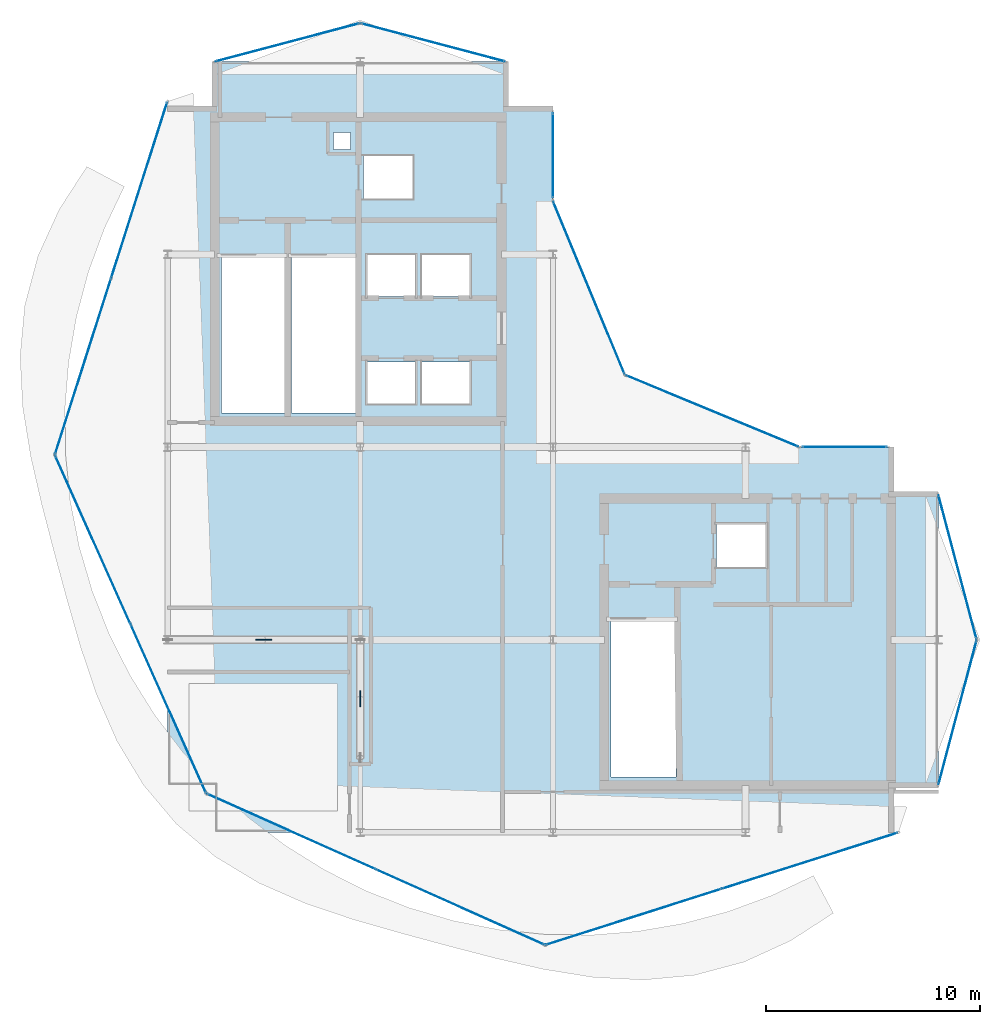
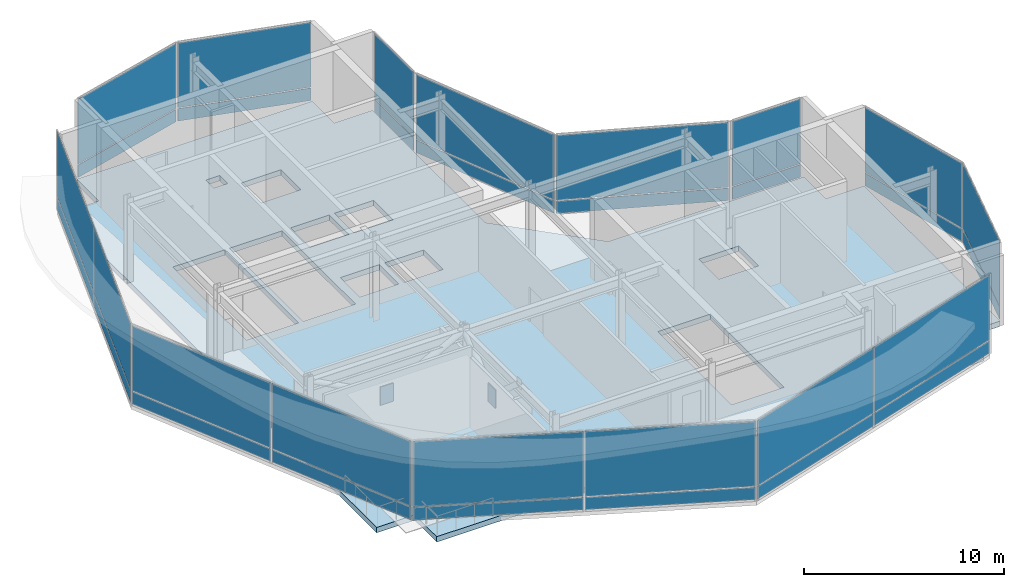
# One storey, part 15 of 19: 34 plates, 1 slab, 12 elements without a shape of their own.
"""IFC4 building model written with IfcOpenShell, lengths in metres."""

from ifc_helpers import new_model, si_unit, direction, frame, origin, origin_2d, place, context, subcontext, project, spatial, polyline, rectangle, outline, extrude, material, layer, layer_set, type_object, element, aggregate, save


model = new_model("IFC4")

# Units and contexts
model_context = context("Model", 3, precision=1e-05, world=origin(), true_north=direction((0.0, 1.0)))
body_context = subcontext(model_context, "Body", "Model", "MODEL_VIEW")
ifc_project = project(units=[si_unit("LENGTHUNIT", "METRE"), si_unit("AREAUNIT", "SQUARE_METRE"), si_unit("VOLUMEUNIT", "CUBIC_METRE"), si_unit("PLANEANGLEUNIT", "RADIAN"), si_unit("MASSUNIT", "GRAM", prefix="KILO")], contexts=[model_context])

# Site, building, storey
site_placement = place(None, origin())
site = spatial("IfcSite", under=ifc_project, at=site_placement, CompositionType="ELEMENT")
building_placement = place(site_placement, origin())
building = spatial("IfcBuilding", under=site, at=building_placement, Name="Solvaryn Broadcast Tower", CompositionType="ELEMENT")
storey_placement = place(building_placement, frame((0.0, 0.0, 302.60009765625)))
storey = spatial("IfcBuildingStorey", under=building, at=storey_placement, Name="L76", CompositionType="ELEMENT", Elevation=302.60009765625)

# Curtain wall, plates
ifc_material_1 = material(Name="Aluminium and Terracotta Unitised Curtain Wall", Category="masonry")
ifc_layer_1 = layer(ifc_material_1, 0.260009765625)
ifc_layer_set_1 = layer_set([ifc_layer_1], Name="CW-SYS5-DAMPER")
curtain_wall_type = type_object("IfcCurtainWallType", Name="CW-SYS5-DAMPER", PredefinedType="NOTDEFINED", material=ifc_layer_set_1)
curtain_wall_1_placement = place(storey_placement, origin())
curtain_wall_1 = element("IfcCurtainWall", 1, at=curtain_wall_1_placement, inside=storey, type_object=curtain_wall_type, Name="L76 Curtain Wall DR1", PredefinedType="NOTDEFINED")
ifc_material_2 = material(Name="Acoustic Laminated Luminous Clear Glass", Category="glass")
ifc_layer_2 = layer(ifc_material_2, 0.0419921875)
ifc_layer_set_2 = layer_set([ifc_layer_2], Name="CW-PNL-DAMPER")
plate_type_1 = type_object("IfcPlateType", Name="CW-PNL-DAMPER", PredefinedType="CURTAIN_PANEL", material=ifc_layer_set_2)
plate_1_placement = place(storey_placement, frame((7.679931640625, 39.00634765625, 0.06005859375), z_axis=(0.0, 0.0, 1.0), x_axis=(-0.30361564569, -0.952794594701, 0.0)))
plate_1 = element("IfcPlate", 2, at=plate_1_placement, type_object=plate_type_1, Name="CWS5 panel 1.1", PredefinedType="CURTAIN_PANEL", context=body_context, shape_type="SweptSolid", body=[
    extrude(rectangle(XDim=8.575439453125, YDim=0.028076171875, at=origin_2d()), origin(), (0.0, 0.0, 1.0), 0.760009765625),
])
plate_2_placement = place(storey_placement, frame((7.679931640625, 39.00634765625, 0.8798828125), z_axis=(0.0, 0.0, 1.0), x_axis=(-0.30361564569, -0.952794594701, 0.0)))
plate_2 = element("IfcPlate", 3, at=plate_2_placement, type_object=plate_type_1, Name="CWS5 panel 1.2", PredefinedType="CURTAIN_PANEL", context=body_context, shape_type="SweptSolid", body=[
    extrude(rectangle(XDim=8.575439453125, YDim=0.028076171875, at=origin_2d()), origin(), (0.0, 0.0, 1.0), 3.9599609375),
])
plate_3_placement = place(storey_placement, frame((5.05810546875, 30.778564453125, 0.06005859375), z_axis=(0.0, 0.0, 1.0), x_axis=(-0.30361564569, -0.952794594701, 0.0)))
plate_3 = element("IfcPlate", 4, at=plate_3_placement, type_object=plate_type_1, Name="CWS5 panel 2.1", PredefinedType="CURTAIN_PANEL", context=body_context, shape_type="SweptSolid", body=[
    extrude(rectangle(XDim=8.575439453125, YDim=0.028076171875, at=origin_2d()), origin(), (0.0, 0.0, 1.0), 0.760009765625),
])
plate_4_placement = place(storey_placement, frame((5.05810546875, 30.778564453125, 0.8798828125), z_axis=(0.0, 0.0, 1.0), x_axis=(-0.30361564569, -0.952794594701, 0.0)))
plate_4 = element("IfcPlate", 5, at=plate_4_placement, type_object=plate_type_1, Name="CWS5 panel 2.2", PredefinedType="CURTAIN_PANEL", context=body_context, shape_type="SweptSolid", body=[
    extrude(rectangle(XDim=8.575439453125, YDim=0.028076171875, at=origin_2d()), origin(), (0.0, 0.0, 1.0), 3.9599609375),
])
aggregate(curtain_wall_1, [plate_1, plate_2, plate_3, plate_4])

curtain_wall_2_placement = place(storey_placement, origin())
curtain_wall_2 = element("IfcCurtainWall", 6, at=curtain_wall_2_placement, inside=storey, type_object=curtain_wall_type, Name="L76 Curtain Wall DR2", PredefinedType="NOTDEFINED")
plate_5_placement = place(storey_placement, frame((5.513916015625, 22.66748046875, 0.06005859375), z_axis=(0.0, 0.0, 1.0), x_axis=(0.408466010682, -0.912773530574, 0.0)))
plate_5 = element("IfcPlate", 7, at=plate_5_placement, type_object=plate_type_1, Name="CWS5 panel 1.1", PredefinedType="CURTAIN_PANEL", context=body_context, shape_type="SweptSolid", body=[
    extrude(rectangle(XDim=8.575439453125, YDim=0.028076171875, at=origin_2d()), origin(), (0.0, 0.0, 1.0), 0.760009765625),
])
plate_6_placement = place(storey_placement, frame((5.513916015625, 22.66748046875, 0.8798828125), z_axis=(0.0, 0.0, 1.0), x_axis=(0.408466010682, -0.912773530574, 0.0)))
plate_6 = element("IfcPlate", 8, at=plate_6_placement, type_object=plate_type_1, Name="CWS5 panel 1.2", PredefinedType="CURTAIN_PANEL", context=body_context, shape_type="SweptSolid", body=[
    extrude(rectangle(XDim=8.575439453125, YDim=0.028076171875, at=origin_2d()), origin(), (0.0, 0.0, 1.0), 3.9599609375),
])
plate_7_placement = place(storey_placement, frame((9.041015625, 14.785400390625, 0.06005859375), z_axis=(0.0, 0.0, 1.0), x_axis=(0.408466010682, -0.912773530574, 0.0)))
plate_7 = element("IfcPlate", 9, at=plate_7_placement, type_object=plate_type_1, Name="CWS5 panel 2.1", PredefinedType="CURTAIN_PANEL", context=body_context, shape_type="SweptSolid", body=[
    extrude(rectangle(XDim=8.575439453125, YDim=0.028076171875, at=origin_2d()), origin(), (0.0, 0.0, 1.0), 0.760009765625),
])
plate_8_placement = place(storey_placement, frame((9.041015625, 14.785400390625, 0.8798828125), z_axis=(0.0, 0.0, 1.0), x_axis=(0.408466010682, -0.912773530574, 0.0)))
plate_8 = element("IfcPlate", 10, at=plate_8_placement, type_object=plate_type_1, Name="CWS5 panel 2.2", PredefinedType="CURTAIN_PANEL", context=body_context, shape_type="SweptSolid", body=[
    extrude(rectangle(XDim=8.575439453125, YDim=0.028076171875, at=origin_2d()), origin(), (0.0, 0.0, 1.0), 3.9599609375),
])
aggregate(curtain_wall_2, [plate_5, plate_6, plate_7, plate_8])

curtain_wall_3_placement = place(storey_placement, origin())
curtain_wall_3 = element("IfcCurtainWall", 11, at=curtain_wall_3_placement, inside=storey, type_object=curtain_wall_type, Name="L76 Curtain Wall DR3", PredefinedType="NOTDEFINED")
plate_9_placement = place(storey_placement, frame((14.785400390625, 9.041015625, 0.06005859375), z_axis=(0.0, 0.0, 1.0), x_axis=(0.912773530574, -0.408466010682, 0.0)))
plate_9 = element("IfcPlate", 12, at=plate_9_placement, type_object=plate_type_1, Name="CWS5 panel 1.1", PredefinedType="CURTAIN_PANEL", context=body_context, shape_type="SweptSolid", body=[
    extrude(rectangle(XDim=8.575439453125, YDim=0.028076171875, at=origin_2d()), origin(), (0.0, 0.0, 1.0), 0.760009765625),
])
plate_10_placement = place(storey_placement, frame((14.785400390625, 9.041015625, 0.8798828125), z_axis=(0.0, 0.0, 1.0), x_axis=(0.912773530574, -0.408466010682, 0.0)))
plate_10 = element("IfcPlate", 13, at=plate_10_placement, type_object=plate_type_1, Name="CWS5 panel 1.2", PredefinedType="CURTAIN_PANEL", context=body_context, shape_type="SweptSolid", body=[
    extrude(rectangle(XDim=8.575439453125, YDim=0.028076171875, at=origin_2d()), origin(), (0.0, 0.0, 1.0), 3.9599609375),
])
plate_11_placement = place(storey_placement, frame((22.66748046875, 5.513916015625, 0.06005859375), z_axis=(0.0, 0.0, 1.0), x_axis=(0.912773530574, -0.408466010682, 0.0)))
plate_11 = element("IfcPlate", 14, at=plate_11_placement, type_object=plate_type_1, Name="CWS5 panel 2.1", PredefinedType="CURTAIN_PANEL", context=body_context, shape_type="SweptSolid", body=[
    extrude(rectangle(XDim=8.575439453125, YDim=0.028076171875, at=origin_2d()), origin(), (0.0, 0.0, 1.0), 0.760009765625),
])
plate_12_placement = place(storey_placement, frame((22.66748046875, 5.513916015625, 0.8798828125), z_axis=(0.0, 0.0, 1.0), x_axis=(0.912773530574, -0.408466010682, 0.0)))
plate_12 = element("IfcPlate", 15, at=plate_12_placement, type_object=plate_type_1, Name="CWS5 panel 2.2", PredefinedType="CURTAIN_PANEL", context=body_context, shape_type="SweptSolid", body=[
    extrude(rectangle(XDim=8.575439453125, YDim=0.028076171875, at=origin_2d()), origin(), (0.0, 0.0, 1.0), 3.9599609375),
])
aggregate(curtain_wall_3, [plate_9, plate_10, plate_11, plate_12])

curtain_wall_4_placement = place(storey_placement, origin())
curtain_wall_4 = element("IfcCurtainWall", 16, at=curtain_wall_4_placement, inside=storey, type_object=curtain_wall_type, Name="L76 Curtain Wall DR4", PredefinedType="NOTDEFINED")
plate_13_placement = place(storey_placement, frame((30.778564453125, 5.05810546875, 0.06005859375), z_axis=(0.0, 0.0, 1.0), x_axis=(0.952794594701, 0.30361564569, 0.0)))
plate_13 = element("IfcPlate", 17, at=plate_13_placement, type_object=plate_type_1, Name="CWS5 panel 1.1", PredefinedType="CURTAIN_PANEL", context=body_context, shape_type="SweptSolid", body=[
    extrude(rectangle(XDim=8.575439453125, YDim=0.028076171875, at=origin_2d()), origin(), (0.0, 0.0, 1.0), 0.760009765625),
])
plate_14_placement = place(storey_placement, frame((30.778564453125, 5.05810546875, 0.8798828125), z_axis=(0.0, 0.0, 1.0), x_axis=(0.952794594701, 0.30361564569, 0.0)))
plate_14 = element("IfcPlate", 18, at=plate_14_placement, type_object=plate_type_1, Name="CWS5 panel 1.2", PredefinedType="CURTAIN_PANEL", context=body_context, shape_type="SweptSolid", body=[
    extrude(rectangle(XDim=8.575439453125, YDim=0.028076171875, at=origin_2d()), origin(), (0.0, 0.0, 1.0), 3.9599609375),
])
plate_15_placement = place(storey_placement, frame((39.00634765625, 7.679931640625, 0.06005859375), z_axis=(0.0, 0.0, 1.0), x_axis=(0.952794594701, 0.30361564569, 0.0)))
plate_15 = element("IfcPlate", 19, at=plate_15_placement, type_object=plate_type_1, Name="CWS5 panel 2.1", PredefinedType="CURTAIN_PANEL", context=body_context, shape_type="SweptSolid", body=[
    extrude(rectangle(XDim=8.575439453125, YDim=0.028076171875, at=origin_2d()), origin(), (0.0, 0.0, 1.0), 0.760009765625),
])
plate_16_placement = place(storey_placement, frame((39.00634765625, 7.679931640625, 0.8798828125), z_axis=(0.0, 0.0, 1.0), x_axis=(0.952794594701, 0.30361564569, 0.0)))
plate_16 = element("IfcPlate", 20, at=plate_16_placement, type_object=plate_type_1, Name="CWS5 panel 2.2", PredefinedType="CURTAIN_PANEL", context=body_context, shape_type="SweptSolid", body=[
    extrude(rectangle(XDim=8.575439453125, YDim=0.028076171875, at=origin_2d()), origin(), (0.0, 0.0, 1.0), 3.9599609375),
])
aggregate(curtain_wall_4, [plate_13, plate_14, plate_15, plate_16])

curtain_wall_5_placement = place(storey_placement, origin())
curtain_wall_5 = element("IfcCurtainWall", 21, at=curtain_wall_5_placement, inside=storey, type_object=curtain_wall_type, Name="L76 Curtain Wall IV", PredefinedType="NOTDEFINED")
plate_17_placement = place(storey_placement, frame((27.0, 40.625, 0.06005859375), z_axis=(0.0, 0.0, 1.0), x_axis=(0.0, -1.0, 0.0)))
plate_17 = element("IfcPlate", 22, at=plate_17_placement, type_object=plate_type_1, Name="CWS5 panel 1.1", PredefinedType="CURTAIN_PANEL", context=body_context, shape_type="SweptSolid", body=[
    extrude(rectangle(XDim=3.929931640625, YDim=0.028076171875, at=origin_2d()), origin(), (0.0, 0.0, 1.0), 0.760009765625),
])
plate_18_placement = place(storey_placement, frame((27.0, 40.625, 0.8798828125), z_axis=(0.0, 0.0, 1.0), x_axis=(0.0, -1.0, 0.0)))
plate_18 = element("IfcPlate", 23, at=plate_18_placement, type_object=plate_type_1, Name="CWS5 panel 1.2", PredefinedType="CURTAIN_PANEL", context=body_context, shape_type="SweptSolid", body=[
    extrude(rectangle(XDim=3.929931640625, YDim=0.028076171875, at=origin_2d()), origin(), (0.0, 0.0, 1.0), 3.9599609375),
])
aggregate(curtain_wall_5, [plate_17, plate_18])

curtain_wall_6_placement = place(storey_placement, origin())
curtain_wall_6 = element("IfcCurtainWall", 24, at=curtain_wall_6_placement, inside=storey, type_object=curtain_wall_type, Name="L76 Curtain Wall CN1", PredefinedType="NOTDEFINED")
plate_19_placement = place(storey_placement, frame((34.43408203125, 28.68408203125, 0.06005859375), z_axis=(0.0, 0.0, 1.0), x_axis=(-0.923894983957, 0.382646127145, 0.0)))
plate_19 = element("IfcPlate", 25, at=plate_19_placement, type_object=plate_type_1, Name="CWS5 panel 1.1", PredefinedType="CURTAIN_PANEL", context=body_context, shape_type="SweptSolid", body=[
    extrude(rectangle(XDim=8.681884765625, YDim=0.028076171875, at=origin_2d()), origin(), (0.0, 0.0, 1.0), 0.760009765625),
])
plate_20_placement = place(storey_placement, frame((34.43408203125, 28.68408203125, 0.8798828125), z_axis=(0.0, 0.0, 1.0), x_axis=(-0.923894983957, 0.382646127145, 0.0)))
plate_20 = element("IfcPlate", 26, at=plate_20_placement, type_object=plate_type_1, Name="CWS5 panel 1.2", PredefinedType="CURTAIN_PANEL", context=body_context, shape_type="SweptSolid", body=[
    extrude(rectangle(XDim=8.681884765625, YDim=0.028076171875, at=origin_2d()), origin(), (0.0, 0.0, 1.0), 3.9599609375),
])
aggregate(curtain_wall_6, [plate_19, plate_20])

curtain_wall_7_placement = place(storey_placement, origin())
curtain_wall_7 = element("IfcCurtainWall", 27, at=curtain_wall_7_placement, inside=storey, type_object=curtain_wall_type, Name="L76 Curtain Wall CN2", PredefinedType="NOTDEFINED")
plate_21_placement = place(storey_placement, frame((28.68408203125, 34.43408203125, 0.06005859375), z_axis=(0.0, 0.0, 1.0), x_axis=(-0.382646127145, 0.923894983957, 0.0)))
plate_21 = element("IfcPlate", 28, at=plate_21_placement, type_object=plate_type_1, Name="CWS5 panel 1.1", PredefinedType="CURTAIN_PANEL", context=body_context, shape_type="SweptSolid", body=[
    extrude(rectangle(XDim=8.681884765625, YDim=0.028076171875, at=origin_2d()), origin(), (0.0, 0.0, 1.0), 0.760009765625),
])
plate_22_placement = place(storey_placement, frame((28.68408203125, 34.43408203125, 0.8798828125), z_axis=(0.0, 0.0, 1.0), x_axis=(-0.382646127145, 0.923894983957, 0.0)))
plate_22 = element("IfcPlate", 29, at=plate_22_placement, type_object=plate_type_1, Name="CWS5 panel 1.2", PredefinedType="CURTAIN_PANEL", context=body_context, shape_type="SweptSolid", body=[
    extrude(rectangle(XDim=8.681884765625, YDim=0.028076171875, at=origin_2d()), origin(), (0.0, 0.0, 1.0), 3.9599609375),
])
aggregate(curtain_wall_7, [plate_21, plate_22])

curtain_wall_8_placement = place(storey_placement, origin())
curtain_wall_8 = element("IfcCurtainWall", 30, at=curtain_wall_8_placement, inside=storey, type_object=curtain_wall_type, Name="L76 Curtain Wall NT1", PredefinedType="NOTDEFINED")
plate_23_placement = place(storey_placement, frame((21.39990234375, 45.89990234375, 0.06005859375), z_axis=(0.0, 0.0, 1.0), x_axis=(-0.966705227863, 0.25589256031, 0.0)))
plate_23 = element("IfcPlate", 31, at=plate_23_placement, type_object=plate_type_1, Name="CWS5 panel 1.1", PredefinedType="CURTAIN_PANEL", context=body_context, shape_type="SweptSolid", body=[
    extrude(rectangle(XDim=6.914306640625, YDim=0.028076171875, at=origin_2d()), origin(), (0.0, 0.0, 1.0), 0.760009765625),
])
plate_24_placement = place(storey_placement, frame((21.39990234375, 45.89990234375, 0.8798828125), z_axis=(0.0, 0.0, 1.0), x_axis=(-0.966705227863, 0.25589256031, 0.0)))
plate_24 = element("IfcPlate", 32, at=plate_24_placement, type_object=plate_type_1, Name="CWS5 panel 1.2", PredefinedType="CURTAIN_PANEL", context=body_context, shape_type="SweptSolid", body=[
    extrude(rectangle(XDim=6.914306640625, YDim=0.028076171875, at=origin_2d()), origin(), (0.0, 0.0, 1.0), 3.9599609375),
])
aggregate(curtain_wall_8, [plate_23, plate_24])

curtain_wall_9_placement = place(storey_placement, origin())
curtain_wall_9 = element("IfcCurtainWall", 33, at=curtain_wall_9_placement, inside=storey, type_object=curtain_wall_type, Name="L76 Curtain Wall NT2", PredefinedType="NOTDEFINED")
plate_25_placement = place(storey_placement, frame((14.60009765625, 45.89990234375, 0.06005859375), z_axis=(0.0, 0.0, 1.0), x_axis=(-0.966705227863, -0.25589256031, 0.0)))
plate_25 = element("IfcPlate", 34, at=plate_25_placement, type_object=plate_type_1, Name="CWS5 panel 1.1", PredefinedType="CURTAIN_PANEL", context=body_context, shape_type="SweptSolid", body=[
    extrude(rectangle(XDim=6.914306640625, YDim=0.028076171875, at=origin_2d()), origin(), (0.0, 0.0, 1.0), 0.760009765625),
])
plate_26_placement = place(storey_placement, frame((14.60009765625, 45.89990234375, 0.8798828125), z_axis=(0.0, 0.0, 1.0), x_axis=(-0.966705227863, -0.25589256031, 0.0)))
plate_26 = element("IfcPlate", 35, at=plate_26_placement, type_object=plate_type_1, Name="CWS5 panel 1.2", PredefinedType="CURTAIN_PANEL", context=body_context, shape_type="SweptSolid", body=[
    extrude(rectangle(XDim=6.914306640625, YDim=0.028076171875, at=origin_2d()), origin(), (0.0, 0.0, 1.0), 3.9599609375),
])
aggregate(curtain_wall_9, [plate_25, plate_26])

curtain_wall_10_placement = place(storey_placement, origin())
curtain_wall_10 = element("IfcCurtainWall", 36, at=curtain_wall_10_placement, inside=storey, type_object=curtain_wall_type, Name="L76 Curtain Wall ET1", PredefinedType="NOTDEFINED")
plate_27_placement = place(storey_placement, frame((45.89990234375, 21.39990234375, 0.06005859375), z_axis=(0.0, 0.0, 1.0), x_axis=(0.25589256031, -0.966705227863, 0.0)))
plate_27 = element("IfcPlate", 37, at=plate_27_placement, type_object=plate_type_1, Name="CWS5 panel 1.1", PredefinedType="CURTAIN_PANEL", context=body_context, shape_type="SweptSolid", body=[
    extrude(rectangle(XDim=6.914306640625, YDim=0.028076171875, at=origin_2d()), origin(), (0.0, 0.0, 1.0), 0.760009765625),
])
plate_28_placement = place(storey_placement, frame((45.89990234375, 21.39990234375, 0.8798828125), z_axis=(0.0, 0.0, 1.0), x_axis=(0.25589256031, -0.966705227863, 0.0)))
plate_28 = element("IfcPlate", 38, at=plate_28_placement, type_object=plate_type_1, Name="CWS5 panel 1.2", PredefinedType="CURTAIN_PANEL", context=body_context, shape_type="SweptSolid", body=[
    extrude(rectangle(XDim=6.914306640625, YDim=0.028076171875, at=origin_2d()), origin(), (0.0, 0.0, 1.0), 3.9599609375),
])
aggregate(curtain_wall_10, [plate_27, plate_28])

curtain_wall_11_placement = place(storey_placement, origin())
curtain_wall_11 = element("IfcCurtainWall", 39, at=curtain_wall_11_placement, inside=storey, type_object=curtain_wall_type, Name="L76 Curtain Wall ET2", PredefinedType="NOTDEFINED")
plate_29_placement = place(storey_placement, frame((45.89990234375, 14.60009765625, 0.06005859375), z_axis=(0.0, 0.0, 1.0), x_axis=(-0.25589256031, -0.966705227863, 0.0)))
plate_29 = element("IfcPlate", 40, at=plate_29_placement, type_object=plate_type_1, Name="CWS5 panel 1.1", PredefinedType="CURTAIN_PANEL", context=body_context, shape_type="SweptSolid", body=[
    extrude(rectangle(XDim=6.914306640625, YDim=0.028076171875, at=origin_2d()), origin(), (0.0, 0.0, 1.0), 0.760009765625),
])
plate_30_placement = place(storey_placement, frame((45.89990234375, 14.60009765625, 0.8798828125), z_axis=(0.0, 0.0, 1.0), x_axis=(-0.25589256031, -0.966705227863, 0.0)))
plate_30 = element("IfcPlate", 41, at=plate_30_placement, type_object=plate_type_1, Name="CWS5 panel 1.2", PredefinedType="CURTAIN_PANEL", context=body_context, shape_type="SweptSolid", body=[
    extrude(rectangle(XDim=6.914306640625, YDim=0.028076171875, at=origin_2d()), origin(), (0.0, 0.0, 1.0), 3.9599609375),
])
aggregate(curtain_wall_11, [plate_29, plate_30])

curtain_wall_12_placement = place(storey_placement, origin())
curtain_wall_12 = element("IfcCurtainWall", 42, at=curtain_wall_12_placement, inside=storey, type_object=curtain_wall_type, Name="L76 Curtain Wall IH", PredefinedType="NOTDEFINED")
plate_31_placement = place(storey_placement, frame((40.625, 27.0, 0.06005859375), z_axis=(0.0, 0.0, 1.0), x_axis=(1.0, 0.0, 0.0)))
plate_31 = element("IfcPlate", 43, at=plate_31_placement, type_object=plate_type_1, Name="CWS5 panel 1.1", PredefinedType="CURTAIN_PANEL", context=body_context, shape_type="SweptSolid", body=[
    extrude(rectangle(XDim=3.929931640625, YDim=0.028076171875, at=origin_2d()), origin(), (0.0, 0.0, 1.0), 0.760009765625),
])
plate_32_placement = place(storey_placement, frame((40.625, 27.0, 0.8798828125), z_axis=(0.0, 0.0, 1.0), x_axis=(1.0, 0.0, 0.0)))
plate_32 = element("IfcPlate", 44, at=plate_32_placement, type_object=plate_type_1, Name="CWS5 panel 1.2", PredefinedType="CURTAIN_PANEL", context=body_context, shape_type="SweptSolid", body=[
    extrude(rectangle(XDim=3.929931640625, YDim=0.028076171875, at=origin_2d()), origin(), (0.0, 0.0, 1.0), 3.9599609375),
])
aggregate(curtain_wall_12, [plate_31, plate_32])

# Plates
ifc_material_3 = material(Name="Steel ASTM A572 Grade 50", Category="steel")
ifc_layer_3 = layer(ifc_material_3, 0.050048828125)
ifc_layer_set_3 = layer_set([ifc_layer_3], Name="PL-GUSSET-50")
plate_type_2 = type_object("IfcPlateType", Name="PL-GUSSET-50", PredefinedType="SHEET", material=ifc_layer_set_3)
plate_33_placement = place(storey_placement, frame((13.5, 18.0, 1.89990234375), z_axis=(0.0, 0.0, 1.0), x_axis=(1.0, 0.0, 0.0)))
element("IfcPlate", 45, at=plate_33_placement, inside=storey, type_object=plate_type_2, Name="L76 TMD Reaction X-Frame EW X-Crossing Gusset Node Plate", PredefinedType="SHEET", context=body_context, shape_type="SweptSolid", body=[
    extrude(rectangle(XDim=0.75, YDim=0.050048828125, at=origin_2d()), origin(), (0.0, 0.0, 1.0), 1.10009765625),
])
plate_34_placement = place(storey_placement, frame((18.0, 15.25, 1.89990234375), z_axis=(0.0, 0.0, 1.0), x_axis=(1.0, 0.0, 0.0)))
element("IfcPlate", 46, at=plate_34_placement, inside=storey, type_object=plate_type_2, Name="L76 TMD Reaction X-Frame NS X-Crossing Gusset Node Plate", PredefinedType="SHEET", context=body_context, shape_type="SweptSolid", body=[
    extrude(rectangle(XDim=0.050048828125, YDim=0.75, at=origin_2d()), origin(), (0.0, 0.0, 1.0), 1.10009765625),
])

# Slab
ifc_material_4 = material(Name="Concrete f'c 60 MPa", Category="concrete")
ifc_layer_4 = layer(ifc_material_4, 0.330078125)
ifc_layer_set_4 = layer_set([ifc_layer_4], Name="SL-PLT-330")
slab_type = type_object("IfcSlabType", Name="SL-PLT-330", PredefinedType="FLOOR", material=ifc_layer_set_4)
slab_placement = place(storey_placement, frame((0.0, 0.0, -0.330078125)))
element("IfcSlab", 47, at=slab_placement, inside=storey, type_object=slab_type, Name="L76 Structural Floor Slab", PredefinedType="FLOOR", context=body_context, shape_type="SweptSolid", body=[
    extrude(outline(polyline([(11.199951171875, 9.0), (42.800048828125, 9.0), (42.800048828125, 11.199951171875), (45.0, 11.199951171875), (45.0, 24.800048828125), (42.800048828125, 24.800048828125), (42.800048828125, 27.0), (31.5, 27.0), (27.0, 31.5), (27.0, 42.800048828125), (24.800048828125, 42.800048828125), (24.800048828125, 45.0), (11.199951171875, 45.0), (11.199951171875, 42.800048828125), (9.0, 42.800048828125), (9.0, 11.199951171875), (11.199951171875, 11.199951171875), (11.199951171875, 9.0)]), holes=[polyline([(11.52001953125, 35.9599609375), (11.52001953125, 28.60009765625), (14.550048828125, 28.60009765625), (14.550048828125, 35.9599609375), (11.52001953125, 35.9599609375)]), polyline([(14.800048828125, 35.9599609375), (14.800048828125, 28.60009765625), (17.830078125, 28.60009765625), (17.830078125, 35.9599609375), (14.800048828125, 35.9599609375)]), polyline([(29.719970703125, 18.9599609375), (29.719970703125, 11.60009765625), (32.75, 11.60009765625), (32.75, 18.9599609375), (29.719970703125, 18.9599609375)]), polyline([(18.14990234375, 38.60009765625), (20.449951171875, 38.60009765625), (20.449951171875, 40.60009765625), (18.14990234375, 40.60009765625), (18.14990234375, 38.60009765625)]), polyline([(18.324951171875, 29.02490234375), (20.574951171875, 29.02490234375), (20.574951171875, 30.97509765625), (18.324951171875, 30.97509765625), (18.324951171875, 29.02490234375)]), polyline([(20.875, 29.02490234375), (23.125, 29.02490234375), (23.125, 30.97509765625), (20.875, 30.97509765625), (20.875, 29.02490234375)]), polyline([(18.324951171875, 34.02490234375), (20.574951171875, 34.02490234375), (20.574951171875, 35.97509765625), (18.324951171875, 35.97509765625), (18.324951171875, 34.02490234375)]), polyline([(20.875, 34.02490234375), (23.125, 34.02490234375), (23.125, 35.97509765625), (20.875, 35.97509765625), (20.875, 34.02490234375)]), polyline([(34.64990234375, 21.39990234375), (36.949951171875, 21.39990234375), (36.949951171875, 23.39990234375), (34.64990234375, 23.39990234375), (34.64990234375, 21.39990234375)]), polyline([(16.75, 40.89990234375), (17.550048828125, 40.89990234375), (17.550048828125, 41.699951171875), (16.75, 41.699951171875), (16.75, 40.89990234375)])]), origin(), (0.0, 0.0, 1.0), 0.330078125),
])

save(model, "model.ifc")
